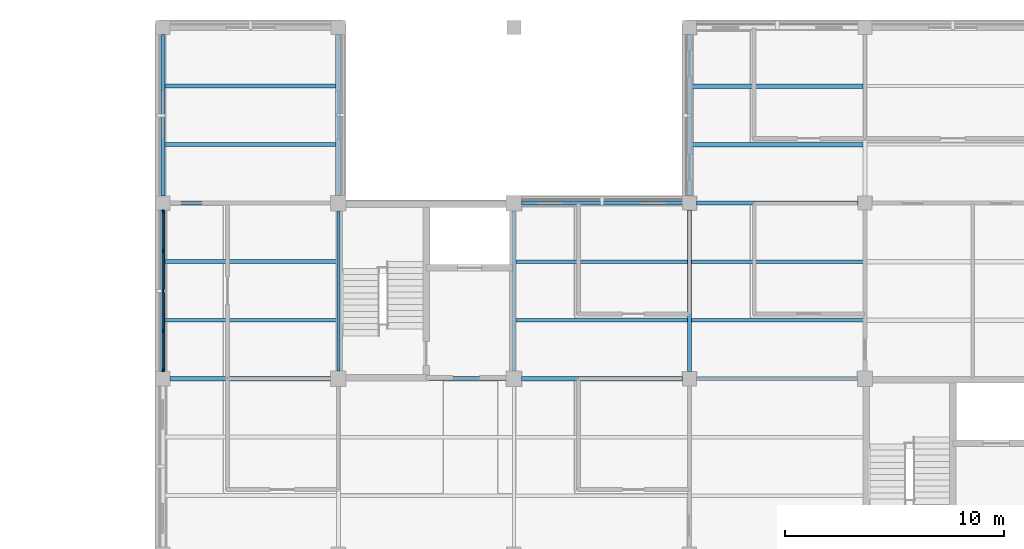
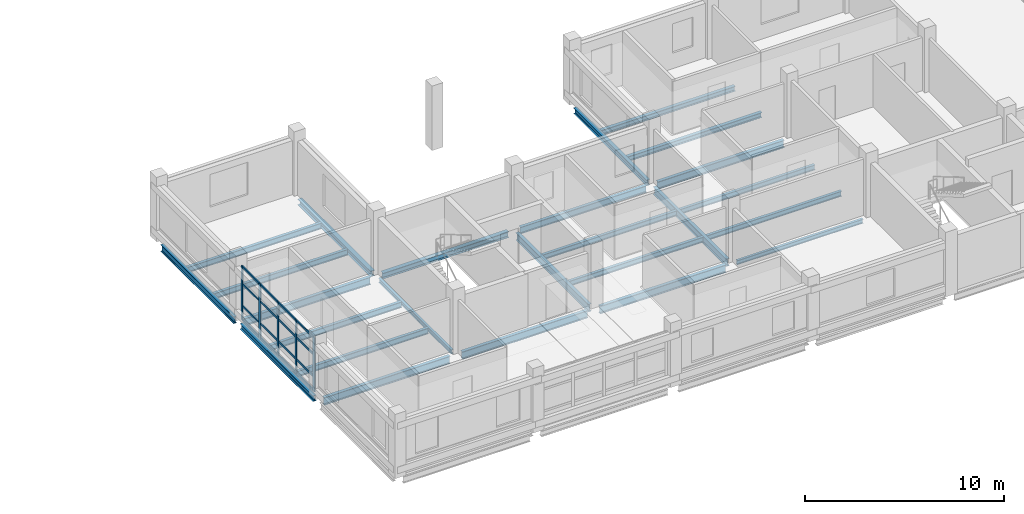
# One storey, part 45 of 92: 25 beams, 21 members, 1 element without a shape of its own.
"""IFC4 building model written with IfcOpenShell, lengths in metres."""

from ifc_helpers import new_model, si_unit, derived_unit, direction, frame, origin, origin_2d, place, context, subcontext, project, spatial, rectangle, i_section, extrude, material, layer, layer_set, material_profile, profile_set, type_object, element, aggregate, save


model = new_model("IFC4")

# Units and contexts
model_context = context("Model", 3, precision=1e-05, world=origin(), true_north=direction((0.0, 1.0)))
body_context = subcontext(model_context, "Body", "Model", "MODEL_VIEW")
ifc_project = project(units=[si_unit("LENGTHUNIT", "METRE"), si_unit("AREAUNIT", "SQUARE_METRE"), si_unit("VOLUMEUNIT", "CUBIC_METRE"), si_unit("PLANEANGLEUNIT", "RADIAN"), si_unit("MASSUNIT", "GRAM", prefix="KILO"), derived_unit("THERMALTRANSMITTANCEUNIT", [(si_unit("MASSUNIT", "GRAM", prefix="KILO"), 1), (si_unit("TIMEUNIT", "SECOND"), -3), (si_unit("THERMODYNAMICTEMPERATUREUNIT", "KELVIN"), -1)])], contexts=[model_context])

# Site, building, storey
site_placement = place(None, origin())
site = spatial("IfcSite", under=ifc_project, at=site_placement, CompositionType="ELEMENT")
building_placement = place(site_placement, origin())
building = spatial("IfcBuilding", under=site, at=building_placement, Name="Veyamyaing Civic Hall", CompositionType="ELEMENT")
storey_placement = place(building_placement, frame((0.0, 0.0, 17.820068359375)))
storey = spatial("IfcBuildingStorey", under=building, at=storey_placement, Name="L04", CompositionType="ELEMENT", Elevation=17.820068359375)

# Beams
ifc_material_1 = material(Name="Steel ASTM A992", Category="steel")
ifc_material_profile_1 = material_profile(ifc_material_1, i_section(OverallWidth=0.19189453125, OverallDepth=0.462890625, WebThickness=0.010498046875, FlangeThickness=0.017578125, FilletRadius=0.010009765625, at=origin_2d()), Name="W460X89")
ifc_profile_set_1 = profile_set([ifc_material_profile_1], Name="Steel ASTM A992")
beam_type_1 = type_object("IfcBeamType", Name="B-08", PredefinedType="BEAM", material=ifc_profile_set_1)
beam_1_placement = place(storey_placement, frame((128.324951171875, 96.0, -0.466552734375), z_axis=(1.0, 0.0, 0.0), x_axis=(0.0, 1.0, 0.0)))
element("IfcBeam", 1, at=beam_1_placement, inside=storey, type_object=beam_type_1, Name="Girder B-08 L04 Grid N 17-18", PredefinedType="BEAM", context=body_context, shape_type="SweptSolid", body=[
    extrude(i_section(OverallWidth=0.19189453125, OverallDepth=0.462890625, WebThickness=0.010498046875, FlangeThickness=0.017578125, FilletRadius=0.010009765625, at=origin_2d()), origin(), (0.0, 0.0, 1.0), 7.324951171875),
])
beam_2_placement = place(storey_placement, frame((152.324951171875, 104.0, -0.466552734375), z_axis=(1.0, 0.0, 0.0), x_axis=(0.0, 1.0, 0.0)))
element("IfcBeam", 2, at=beam_2_placement, inside=storey, type_object=beam_type_1, Name="Girder B-08 L04 Grid P 20-21", PredefinedType="BEAM", context=body_context, shape_type="SweptSolid", body=[
    extrude(i_section(OverallWidth=0.19189453125, OverallDepth=0.462890625, WebThickness=0.010498046875, FlangeThickness=0.017578125, FilletRadius=0.010009765625, at=origin_2d()), origin(), (0.0, 0.0, 1.0), 7.35009765625),
])
beam_3_placement = place(storey_placement, frame((144.0, 96.35009765625, -0.466552734375), z_axis=(0.0, 1.0, 0.0), x_axis=(-1.0, 0.0, 0.0)))
element("IfcBeam", 3, at=beam_3_placement, inside=storey, type_object=beam_type_1, Name="Girder B-08 L04 Grid 19 N-P", PredefinedType="BEAM", context=body_context, shape_type="SweptSolid", body=[
    extrude(i_section(OverallWidth=0.19189453125, OverallDepth=0.462890625, WebThickness=0.010498046875, FlangeThickness=0.017578125, FilletRadius=0.010009765625, at=origin_2d()), origin(), (0.0, 0.0, 1.0), 7.2998046875),
])
ifc_material_profile_2 = material_profile(ifc_material_1, i_section(OverallWidth=0.18994140625, OverallDepth=0.45703125, WebThickness=0.009033203125, FlangeThickness=0.014404296875, FilletRadius=0.010009765625, at=origin_2d()), Name="W460X74")
ifc_profile_set_2 = profile_set([ifc_material_profile_2], Name="Steel ASTM A992")
beam_type_2 = type_object("IfcBeamType", Name="B-09", PredefinedType="BEAM", material=ifc_profile_set_2)
beam_4_placement = place(storey_placement, frame((136.35009765625, 96.0, -0.463623046875), z_axis=(1.0, 0.0, 0.0), x_axis=(0.0, 1.0, 0.0)))
element("IfcBeam", 4, at=beam_4_placement, inside=storey, type_object=beam_type_2, Name="Girder B-09 L04 Grid N 18-19", PredefinedType="BEAM", context=body_context, shape_type="SweptSolid", body=[
    extrude(i_section(OverallWidth=0.18994140625, OverallDepth=0.45703125, WebThickness=0.009033203125, FlangeThickness=0.014404296875, FilletRadius=0.010009765625, at=origin_2d()), origin(), (0.0, 0.0, 1.0), 7.2998046875),
])
beam_5_placement = place(storey_placement, frame((128.324951171875, 104.0, -0.463623046875), z_axis=(1.0, 0.0, 0.0), x_axis=(0.0, 1.0, 0.0)))
element("IfcBeam", 5, at=beam_5_placement, inside=storey, type_object=beam_type_2, Name="Girder B-09 L04 Grid P 17-18", PredefinedType="BEAM", context=body_context, shape_type="SweptSolid", body=[
    extrude(i_section(OverallWidth=0.18994140625, OverallDepth=0.45703125, WebThickness=0.009033203125, FlangeThickness=0.014404296875, FilletRadius=0.010009765625, at=origin_2d()), origin(), (0.0, 0.0, 1.0), 7.324951171875),
])
beam_6_placement = place(storey_placement, frame((152.0, 96.324951171875, -0.463623046875), z_axis=(0.0, 1.0, 0.0), x_axis=(-1.0, 0.0, 0.0)))
element("IfcBeam", 6, at=beam_6_placement, inside=storey, type_object=beam_type_2, Name="Girder B-09 L04 Grid 20 N-P", PredefinedType="BEAM", context=body_context, shape_type="SweptSolid", body=[
    extrude(i_section(OverallWidth=0.18994140625, OverallDepth=0.45703125, WebThickness=0.009033203125, FlangeThickness=0.014404296875, FilletRadius=0.010009765625, at=origin_2d()), origin(), (0.0, 0.0, 1.0), 7.35009765625),
])
ifc_material_profile_3 = material_profile(ifc_material_1, i_section(OverallWidth=0.179931640625, OverallDepth=0.4130859375, WebThickness=0.009765625, FlangeThickness=0.01611328125, FilletRadius=0.010009765625, at=origin_2d()), Name="W410X74")
ifc_profile_set_3 = profile_set([ifc_material_profile_3], Name="Steel ASTM A992")
beam_type_3 = type_object("IfcBeamType", Name="B-10", PredefinedType="SPANDREL", material=ifc_profile_set_3)
beam_7_placement = place(storey_placement, frame((144.35009765625, 104.0, -0.441650390625), z_axis=(1.0, 0.0, 0.0), x_axis=(0.0, 1.0, 0.0)))
element("IfcBeam", 7, at=beam_7_placement, inside=storey, type_object=beam_type_3, Name="Girder B-10 L04 Grid P 19-20", PredefinedType="SPANDREL", context=body_context, shape_type="SweptSolid", body=[
    extrude(i_section(OverallWidth=0.179931640625, OverallDepth=0.4130859375, WebThickness=0.009765625, FlangeThickness=0.01611328125, FilletRadius=0.010009765625, at=origin_2d()), origin(), (0.0, 0.0, 1.0), 7.324951171875),
])
ifc_material_profile_4 = material_profile(ifc_material_1, i_section(OverallWidth=0.2041015625, OverallDepth=0.35009765625, WebThickness=0.0078125, FlangeThickness=0.01513671875, FilletRadius=0.010009765625, at=origin_2d()), Name="W360X72")
ifc_profile_set_4 = profile_set([ifc_material_profile_4], Name="Steel ASTM A992")
beam_type_4 = type_object("IfcBeamType", Name="B-11", PredefinedType="SPANDREL", material=ifc_profile_set_4)
for number, where, z_axis, x_axis, name in (
    (8, (128.0, 96.324951171875, -0.41015625), (0.0, 1.0, 0.0), (-1.0, 0.0, 0.0), "Girder B-11 L04 Grid 17 N-P"),
    (9, (152.0, 104.324951171875, -0.41015625), (0.0, 1.0, 0.0), (-1.0, 0.0, 0.0), "Girder B-11 L04 Grid 20 P-Q"),
):
    element("IfcBeam", number, at=place(storey_placement, frame(where, z_axis=z_axis, x_axis=x_axis)), inside=storey, type_object=beam_type_4, Name=name, PredefinedType="SPANDREL", context=body_context, shape_type="SweptSolid", body=[
        extrude(i_section(OverallWidth=0.2041015625, OverallDepth=0.35009765625, WebThickness=0.0078125, FlangeThickness=0.01513671875, FilletRadius=0.010009765625, at=origin_2d()), origin(), (0.0, 0.0, 1.0), 7.35009765625),
    ])
ifc_material_profile_5 = material_profile(ifc_material_1, i_section(OverallWidth=0.14599609375, OverallDepth=0.258056640625, WebThickness=0.006103515625, FlangeThickness=0.009033203125, FilletRadius=0.010009765625, at=origin_2d()), Name="W250X33")
ifc_profile_set_5 = profile_set([ifc_material_profile_5], Name="Steel ASTM A992")
beam_type_5 = type_object("IfcBeamType", Name="B-12", PredefinedType="BEAM", material=ifc_profile_set_5)
beam_8_placement = place(storey_placement, frame((152.324951171875, 96.0, -0.364013671875), z_axis=(1.0, 0.0, 0.0), x_axis=(0.0, 1.0, 0.0)))
element("IfcBeam", 10, at=beam_8_placement, inside=storey, type_object=beam_type_5, Name="Girder B-12 L04 Grid N 20-21", PredefinedType="BEAM", context=body_context, shape_type="SweptSolid", body=[
    extrude(i_section(OverallWidth=0.14599609375, OverallDepth=0.258056640625, WebThickness=0.006103515625, FlangeThickness=0.009033203125, FilletRadius=0.010009765625, at=origin_2d()), origin(), (0.0, 0.0, 1.0), 7.324951171875),
])
beam_9_placement = place(storey_placement, frame((136.0, 96.35009765625, -0.364013671875), z_axis=(0.0, 1.0, 0.0), x_axis=(-1.0, 0.0, 0.0)))
element("IfcBeam", 11, at=beam_9_placement, inside=storey, type_object=beam_type_5, Name="Girder B-12 L04 Grid 18 N-P", PredefinedType="BEAM", context=body_context, shape_type="SweptSolid", body=[
    extrude(i_section(OverallWidth=0.14599609375, OverallDepth=0.258056640625, WebThickness=0.006103515625, FlangeThickness=0.009033203125, FilletRadius=0.010009765625, at=origin_2d()), origin(), (0.0, 0.0, 1.0), 7.2998046875),
])
ifc_material_profile_6 = material_profile(ifc_material_1, i_section(OverallWidth=0.194091796875, OverallDepth=0.468994140625, WebThickness=0.0126953125, FlangeThickness=0.0205078125, FilletRadius=0.010009765625, at=origin_2d()), Name="W460X106")
ifc_profile_set_6 = profile_set([ifc_material_profile_6], Name="Steel ASTM A992")
beam_type_6 = type_object("IfcBeamType", Name="B-18", PredefinedType="BEAM", material=ifc_profile_set_6)
beam_10_placement = place(storey_placement, frame((144.35009765625, 96.0, -0.469482421875), z_axis=(1.0, 0.0, 0.0), x_axis=(0.0, 1.0, 0.0)))
element("IfcBeam", 12, at=beam_10_placement, inside=storey, type_object=beam_type_6, Name="Girder B-18 L04 Grid N 19-20", PredefinedType="BEAM", context=body_context, shape_type="SweptSolid", body=[
    extrude(i_section(OverallWidth=0.194091796875, OverallDepth=0.468994140625, WebThickness=0.0126953125, FlangeThickness=0.0205078125, FilletRadius=0.010009765625, at=origin_2d()), origin(), (0.0, 0.0, 1.0), 7.324951171875),
])
ifc_material_profile_7 = material_profile(ifc_material_1, i_section(OverallWidth=0.180908203125, OverallDepth=0.4169921875, WebThickness=0.010986328125, FlangeThickness=0.018310546875, FilletRadius=0.010009765625, at=origin_2d()), Name="W410X85")
ifc_profile_set_7 = profile_set([ifc_material_profile_7], Name="Steel ASTM A992")
beam_type_7 = type_object("IfcBeamType", Name="B-19", PredefinedType="SPANDREL", material=ifc_profile_set_7)
beam_11_placement = place(storey_placement, frame((128.0, 104.324951171875, -0.443603515625), z_axis=(0.0, 1.0, 0.0), x_axis=(-1.0, 0.0, 0.0)))
element("IfcBeam", 13, at=beam_11_placement, inside=storey, type_object=beam_type_7, Name="Girder B-19 L04 Grid 17 P-Q", PredefinedType="SPANDREL", context=body_context, shape_type="SweptSolid", body=[
    extrude(i_section(OverallWidth=0.180908203125, OverallDepth=0.4169921875, WebThickness=0.010986328125, FlangeThickness=0.018310546875, FilletRadius=0.010009765625, at=origin_2d()), origin(), (0.0, 0.0, 1.0), 7.35009765625),
])
ifc_material_profile_8 = material_profile(ifc_material_1, i_section(OverallWidth=0.25390625, OverallDepth=0.35302734375, WebThickness=0.009521484375, FlangeThickness=0.016357421875, FilletRadius=0.011962890625, at=origin_2d()), Name="W360X91")
ifc_profile_set_8 = profile_set([ifc_material_profile_8], Name="Steel ASTM A992")
beam_type_8 = type_object("IfcBeamType", Name="B-20", PredefinedType="SPANDREL", material=ifc_profile_set_8)
beam_12_placement = place(storey_placement, frame((136.35009765625, 104.0, -0.41162109375), z_axis=(1.0, 0.0, 0.0), x_axis=(0.0, 1.0, 0.0)))
element("IfcBeam", 14, at=beam_12_placement, inside=storey, type_object=beam_type_8, Name="Girder B-20 L04 Grid P 18-19", PredefinedType="SPANDREL", context=body_context, shape_type="SweptSolid", body=[
    extrude(i_section(OverallWidth=0.25390625, OverallDepth=0.35302734375, WebThickness=0.009521484375, FlangeThickness=0.016357421875, FilletRadius=0.011962890625, at=origin_2d()), origin(), (0.0, 0.0, 1.0), 7.2998046875),
])
beam_13_placement = place(storey_placement, frame((136.0, 104.35009765625, -0.41162109375), z_axis=(0.0, 1.0, 0.0), x_axis=(-1.0, 0.0, 0.0)))
element("IfcBeam", 15, at=beam_13_placement, inside=storey, type_object=beam_type_8, Name="Girder B-20 L04 Grid 18 P-Q", PredefinedType="SPANDREL", context=body_context, shape_type="SweptSolid", body=[
    extrude(i_section(OverallWidth=0.25390625, OverallDepth=0.35302734375, WebThickness=0.009521484375, FlangeThickness=0.016357421875, FilletRadius=0.011962890625, at=origin_2d()), origin(), (0.0, 0.0, 1.0), 7.324951171875),
])

# Curtain wall, members
ifc_material_2 = material(Name="Anodised aluminium 6063-T6", Category="aluminium")
ifc_layer = layer(ifc_material_2, 0.159912109375, Name="Anodised aluminium 6063-T6")
ifc_layer_set = layer_set([ifc_layer], Name="Anodised aluminium 6063-T6")
curtain_wall_type = type_object("IfcCurtainWallType", Name="CW-08", PredefinedType="NOTDEFINED", material=ifc_layer_set)
curtain_wall_placement = place(storey_placement, origin())
curtain_wall = element("IfcCurtainWall", 16, at=curtain_wall_placement, inside=storey, type_object=curtain_wall_type, Name="Unitized curtain wall CW-08 L04 W 17.13", PredefinedType="NOTDEFINED")
ifc_material_profile_9 = material_profile(ifc_material_2, rectangle(XDim=0.06494140625, YDim=0.159912109375, at=origin_2d()), Name="ALU-MUL-65X160")
ifc_profile_set_9 = profile_set([ifc_material_profile_9], Name="Anodised aluminium 6063-T6")
member_type_1 = type_object("IfcMemberType", Name="CWM-01", PredefinedType="MULLION", material=ifc_profile_set_9)
member_1_placement = place(storey_placement, frame((128.0, 96.387451171875, 0.0), z_axis=(0.0, 0.0, 1.0), x_axis=(-1.0, 0.0, 0.0)))
member_1 = element("IfcMember", 17, at=member_1_placement, type_object=member_type_1, Name="CW-08 mullion 1", PredefinedType="MULLION", context=body_context, shape_type="SweptSolid", body=[
    extrude(rectangle(XDim=0.06494140625, YDim=0.159912109375, at=origin_2d()), origin(), (0.0, 0.0, 1.0), 3.309814453125),
])
member_2_placement = place(storey_placement, frame((128.0, 98.177490234375, 0.0), z_axis=(0.0, 0.0, 1.0), x_axis=(-1.0, 0.0, 0.0)))
member_2 = element("IfcMember", 18, at=member_2_placement, type_object=member_type_1, Name="CW-08 mullion 2", PredefinedType="MULLION", context=body_context, shape_type="SweptSolid", body=[
    extrude(rectangle(XDim=0.06494140625, YDim=0.159912109375, at=origin_2d()), origin(), (0.0, 0.0, 1.0), 3.309814453125),
])
member_3_placement = place(storey_placement, frame((128.0, 100.0, 0.0), z_axis=(0.0, 0.0, 1.0), x_axis=(-1.0, 0.0, 0.0)))
member_3 = element("IfcMember", 19, at=member_3_placement, type_object=member_type_1, Name="CW-08 mullion 3", PredefinedType="MULLION", context=body_context, shape_type="SweptSolid", body=[
    extrude(rectangle(XDim=0.06494140625, YDim=0.159912109375, at=origin_2d()), origin(), (0.0, 0.0, 1.0), 3.309814453125),
])
member_4_placement = place(storey_placement, frame((128.0, 101.822509765625, 0.0), z_axis=(0.0, 0.0, 1.0), x_axis=(-1.0, 0.0, 0.0)))
member_4 = element("IfcMember", 20, at=member_4_placement, type_object=member_type_1, Name="CW-08 mullion 4", PredefinedType="MULLION", context=body_context, shape_type="SweptSolid", body=[
    extrude(rectangle(XDim=0.06494140625, YDim=0.159912109375, at=origin_2d()), origin(), (0.0, 0.0, 1.0), 3.309814453125),
])
member_5_placement = place(storey_placement, frame((128.0, 103.612548828125, 0.0), z_axis=(0.0, 0.0, 1.0), x_axis=(-1.0, 0.0, 0.0)))
member_5 = element("IfcMember", 21, at=member_5_placement, type_object=member_type_1, Name="CW-08 mullion 5", PredefinedType="MULLION", context=body_context, shape_type="SweptSolid", body=[
    extrude(rectangle(XDim=0.06494140625, YDim=0.159912109375, at=origin_2d()), origin(), (0.0, 0.0, 1.0), 3.309814453125),
])
ifc_material_profile_10 = material_profile(ifc_material_2, rectangle(XDim=0.06494140625, YDim=0.1201171875, at=origin_2d()), Name="ALU-TRN-65X120")
ifc_profile_set_10 = profile_set([ifc_material_profile_10], Name="Anodised aluminium 6063-T6")
member_type_2 = type_object("IfcMemberType", Name="CWT-01", PredefinedType="USERDEFINED", material=ifc_profile_set_10)
member_6_placement = place(storey_placement, frame((128.0, 96.419921875, 0.032470703125), z_axis=(0.0, 1.0, 0.0), x_axis=(-1.0, 0.0, 0.0)))
member_6 = element("IfcMember", 22, at=member_6_placement, type_object=member_type_2, Name="CW-08 transom 1.1", ObjectType="TRANSOM", PredefinedType="USERDEFINED", context=body_context, shape_type="SweptSolid", body=[
    extrude(rectangle(XDim=0.06494140625, YDim=0.1201171875, at=origin_2d()), origin(), (0.0, 0.0, 1.0), 1.72509765625),
])
member_7_placement = place(storey_placement, frame((128.0, 96.419921875, 0.89990234375), z_axis=(0.0, 1.0, 0.0), x_axis=(-1.0, 0.0, 0.0)))
member_7 = element("IfcMember", 23, at=member_7_placement, type_object=member_type_2, Name="CW-08 transom 1.2", ObjectType="TRANSOM", PredefinedType="USERDEFINED", context=body_context, shape_type="SweptSolid", body=[
    extrude(rectangle(XDim=0.06494140625, YDim=0.1201171875, at=origin_2d()), origin(), (0.0, 0.0, 1.0), 1.72509765625),
])
member_8_placement = place(storey_placement, frame((128.0, 96.419921875, 2.250732421875), z_axis=(0.0, 1.0, 0.0), x_axis=(-1.0, 0.0, 0.0)))
member_8 = element("IfcMember", 24, at=member_8_placement, type_object=member_type_2, Name="CW-08 transom 1.3", ObjectType="TRANSOM", PredefinedType="USERDEFINED", context=body_context, shape_type="SweptSolid", body=[
    extrude(rectangle(XDim=0.06494140625, YDim=0.1201171875, at=origin_2d()), origin(), (0.0, 0.0, 1.0), 1.72509765625),
])
member_9_placement = place(storey_placement, frame((128.0, 96.419921875, 3.27734375), z_axis=(0.0, 1.0, 0.0), x_axis=(-1.0, 0.0, 0.0)))
member_9 = element("IfcMember", 25, at=member_9_placement, type_object=member_type_2, Name="CW-08 transom 1.4", ObjectType="TRANSOM", PredefinedType="USERDEFINED", context=body_context, shape_type="SweptSolid", body=[
    extrude(rectangle(XDim=0.06494140625, YDim=0.1201171875, at=origin_2d()), origin(), (0.0, 0.0, 1.0), 1.72509765625),
])
member_10_placement = place(storey_placement, frame((128.0, 98.2099609375, 0.032470703125), z_axis=(0.0, 1.0, 0.0), x_axis=(-1.0, 0.0, 0.0)))
member_10 = element("IfcMember", 26, at=member_10_placement, type_object=member_type_2, Name="CW-08 transom 2.1", ObjectType="TRANSOM", PredefinedType="USERDEFINED", context=body_context, shape_type="SweptSolid", body=[
    extrude(rectangle(XDim=0.06494140625, YDim=0.1201171875, at=origin_2d()), origin(), (0.0, 0.0, 1.0), 1.757568359375),
])
member_11_placement = place(storey_placement, frame((128.0, 98.2099609375, 0.89990234375), z_axis=(0.0, 1.0, 0.0), x_axis=(-1.0, 0.0, 0.0)))
member_11 = element("IfcMember", 27, at=member_11_placement, type_object=member_type_2, Name="CW-08 transom 2.2", ObjectType="TRANSOM", PredefinedType="USERDEFINED", context=body_context, shape_type="SweptSolid", body=[
    extrude(rectangle(XDim=0.06494140625, YDim=0.1201171875, at=origin_2d()), origin(), (0.0, 0.0, 1.0), 1.757568359375),
])
member_12_placement = place(storey_placement, frame((128.0, 98.2099609375, 2.250732421875), z_axis=(0.0, 1.0, 0.0), x_axis=(-1.0, 0.0, 0.0)))
member_12 = element("IfcMember", 28, at=member_12_placement, type_object=member_type_2, Name="CW-08 transom 2.3", ObjectType="TRANSOM", PredefinedType="USERDEFINED", context=body_context, shape_type="SweptSolid", body=[
    extrude(rectangle(XDim=0.06494140625, YDim=0.1201171875, at=origin_2d()), origin(), (0.0, 0.0, 1.0), 1.757568359375),
])
member_13_placement = place(storey_placement, frame((128.0, 98.2099609375, 3.27734375), z_axis=(0.0, 1.0, 0.0), x_axis=(-1.0, 0.0, 0.0)))
member_13 = element("IfcMember", 29, at=member_13_placement, type_object=member_type_2, Name="CW-08 transom 2.4", ObjectType="TRANSOM", PredefinedType="USERDEFINED", context=body_context, shape_type="SweptSolid", body=[
    extrude(rectangle(XDim=0.06494140625, YDim=0.1201171875, at=origin_2d()), origin(), (0.0, 0.0, 1.0), 1.757568359375),
])
member_14_placement = place(storey_placement, frame((128.0, 100.032470703125, 0.032470703125), z_axis=(0.0, 1.0, 0.0), x_axis=(-1.0, 0.0, 0.0)))
member_14 = element("IfcMember", 30, at=member_14_placement, type_object=member_type_2, Name="CW-08 transom 3.1", ObjectType="TRANSOM", PredefinedType="USERDEFINED", context=body_context, shape_type="SweptSolid", body=[
    extrude(rectangle(XDim=0.06494140625, YDim=0.1201171875, at=origin_2d()), origin(), (0.0, 0.0, 1.0), 1.757568359375),
])
member_15_placement = place(storey_placement, frame((128.0, 100.032470703125, 0.89990234375), z_axis=(0.0, 1.0, 0.0), x_axis=(-1.0, 0.0, 0.0)))
member_15 = element("IfcMember", 31, at=member_15_placement, type_object=member_type_2, Name="CW-08 transom 3.2", ObjectType="TRANSOM", PredefinedType="USERDEFINED", context=body_context, shape_type="SweptSolid", body=[
    extrude(rectangle(XDim=0.06494140625, YDim=0.1201171875, at=origin_2d()), origin(), (0.0, 0.0, 1.0), 1.757568359375),
])
member_16_placement = place(storey_placement, frame((128.0, 100.032470703125, 2.250732421875), z_axis=(0.0, 1.0, 0.0), x_axis=(-1.0, 0.0, 0.0)))
member_16 = element("IfcMember", 32, at=member_16_placement, type_object=member_type_2, Name="CW-08 transom 3.3", ObjectType="TRANSOM", PredefinedType="USERDEFINED", context=body_context, shape_type="SweptSolid", body=[
    extrude(rectangle(XDim=0.06494140625, YDim=0.1201171875, at=origin_2d()), origin(), (0.0, 0.0, 1.0), 1.757568359375),
])
member_17_placement = place(storey_placement, frame((128.0, 100.032470703125, 3.27734375), z_axis=(0.0, 1.0, 0.0), x_axis=(-1.0, 0.0, 0.0)))
member_17 = element("IfcMember", 33, at=member_17_placement, type_object=member_type_2, Name="CW-08 transom 3.4", ObjectType="TRANSOM", PredefinedType="USERDEFINED", context=body_context, shape_type="SweptSolid", body=[
    extrude(rectangle(XDim=0.06494140625, YDim=0.1201171875, at=origin_2d()), origin(), (0.0, 0.0, 1.0), 1.757568359375),
])
member_18_placement = place(storey_placement, frame((128.0, 101.85498046875, 0.032470703125), z_axis=(0.0, 1.0, 0.0), x_axis=(-1.0, 0.0, 0.0)))
member_18 = element("IfcMember", 34, at=member_18_placement, type_object=member_type_2, Name="CW-08 transom 4.1", ObjectType="TRANSOM", PredefinedType="USERDEFINED", context=body_context, shape_type="SweptSolid", body=[
    extrude(rectangle(XDim=0.06494140625, YDim=0.1201171875, at=origin_2d()), origin(), (0.0, 0.0, 1.0), 1.72509765625),
])
member_19_placement = place(storey_placement, frame((128.0, 101.85498046875, 0.89990234375), z_axis=(0.0, 1.0, 0.0), x_axis=(-1.0, 0.0, 0.0)))
member_19 = element("IfcMember", 35, at=member_19_placement, type_object=member_type_2, Name="CW-08 transom 4.2", ObjectType="TRANSOM", PredefinedType="USERDEFINED", context=body_context, shape_type="SweptSolid", body=[
    extrude(rectangle(XDim=0.06494140625, YDim=0.1201171875, at=origin_2d()), origin(), (0.0, 0.0, 1.0), 1.72509765625),
])
member_20_placement = place(storey_placement, frame((128.0, 101.85498046875, 2.250732421875), z_axis=(0.0, 1.0, 0.0), x_axis=(-1.0, 0.0, 0.0)))
member_20 = element("IfcMember", 36, at=member_20_placement, type_object=member_type_2, Name="CW-08 transom 4.3", ObjectType="TRANSOM", PredefinedType="USERDEFINED", context=body_context, shape_type="SweptSolid", body=[
    extrude(rectangle(XDim=0.06494140625, YDim=0.1201171875, at=origin_2d()), origin(), (0.0, 0.0, 1.0), 1.72509765625),
])
member_21_placement = place(storey_placement, frame((128.0, 101.85498046875, 3.27734375), z_axis=(0.0, 1.0, 0.0), x_axis=(-1.0, 0.0, 0.0)))
member_21 = element("IfcMember", 37, at=member_21_placement, type_object=member_type_2, Name="CW-08 transom 4.4", ObjectType="TRANSOM", PredefinedType="USERDEFINED", context=body_context, shape_type="SweptSolid", body=[
    extrude(rectangle(XDim=0.06494140625, YDim=0.1201171875, at=origin_2d()), origin(), (0.0, 0.0, 1.0), 1.72509765625),
])
aggregate(curtain_wall, [member_1, member_2, member_3, member_4, member_5, member_6, member_7, member_8, member_9, member_10, member_11, member_12, member_13, member_14, member_15, member_16, member_17, member_18, member_19, member_20, member_21])

# Beams
ifc_material_profile_11 = material_profile(ifc_material_1, i_section(OverallWidth=0.172119140625, OverallDepth=0.35791015625, WebThickness=0.0078125, FlangeThickness=0.01318359375, FilletRadius=0.010009765625, at=origin_2d()), Name="W360X57")
ifc_profile_set_11 = profile_set([ifc_material_profile_11], Name="Steel ASTM A992")
beam_type_9 = type_object("IfcBeamType", Name="J-02", PredefinedType="JOIST", material=ifc_profile_set_11)
for number, where, z_axis, x_axis, name in (
    (38, (128.10009765625, 98.666748046875, -0.4140625), (1.0, 0.0, 0.0), (0.0, 1.0, 0.0), "Composite floor joist J-02 L04 17.13.1"),
    (39, (128.10009765625, 101.333251953125, -0.4140625), (1.0, 0.0, 0.0), (0.0, 1.0, 0.0), "Composite floor joist J-02 L04 17.13.2"),
):
    element("IfcBeam", number, at=place(storey_placement, frame(where, z_axis=z_axis, x_axis=x_axis)), inside=storey, type_object=beam_type_9, Name=name, PredefinedType="JOIST", context=body_context, shape_type="SweptSolid", body=[
        extrude(i_section(OverallWidth=0.172119140625, OverallDepth=0.35791015625, WebThickness=0.0078125, FlangeThickness=0.01318359375, FilletRadius=0.010009765625, at=origin_2d()), origin(), (0.0, 0.0, 1.0), 7.828857421875),
    ])
ifc_material_profile_12 = material_profile(ifc_material_1, i_section(OverallWidth=0.1708984375, OverallDepth=0.35205078125, WebThickness=0.0068359375, FlangeThickness=0.009765625, FilletRadius=0.010009765625, at=origin_2d()), Name="W360X44")
ifc_profile_set_12 = profile_set([ifc_material_profile_12], Name="Steel ASTM A992")
beam_type_10 = type_object("IfcBeamType", Name="J-03", PredefinedType="JOIST", material=ifc_profile_set_12)
for number, where, z_axis, x_axis, name in (
    (40, (128.08837890625, 106.666748046875, -0.4111328125), (1.0, 0.0, 0.0), (0.0, 1.0, 0.0), "Composite floor joist J-03 L04 17.14.1"),
    (41, (128.08837890625, 109.333251953125, -0.4111328125), (1.0, 0.0, 0.0), (0.0, 1.0, 0.0), "Composite floor joist J-03 L04 17.14.2"),
):
    element("IfcBeam", number, at=place(storey_placement, frame(where, z_axis=z_axis, x_axis=x_axis)), inside=storey, type_object=beam_type_10, Name=name, PredefinedType="JOIST", context=body_context, shape_type="SweptSolid", body=[
        extrude(i_section(OverallWidth=0.1708984375, OverallDepth=0.35205078125, WebThickness=0.0068359375, FlangeThickness=0.009765625, FilletRadius=0.010009765625, at=origin_2d()), origin(), (0.0, 0.0, 1.0), 7.78662109375),
    ])
ifc_material_profile_13 = material_profile(ifc_material_1, i_section(OverallWidth=0.1669921875, OverallDepth=0.318115234375, WebThickness=0.007568359375, FlangeThickness=0.01318359375, FilletRadius=0.010009765625, at=origin_2d()), Name="W310X52")
ifc_profile_set_13 = profile_set([ifc_material_profile_13], Name="Steel ASTM A992")
beam_type_11 = type_object("IfcBeamType", Name="J-04", PredefinedType="JOIST", material=ifc_profile_set_13)
for number, where, z_axis, x_axis, name in (
    (42, (144.093994140625, 98.666748046875, -0.39404296875), (1.0, 0.0, 0.0), (0.0, 1.0, 0.0), "Composite floor joist J-04 L04 19.13.1"),
    (43, (144.093994140625, 101.333251953125, -0.39404296875), (1.0, 0.0, 0.0), (0.0, 1.0, 0.0), "Composite floor joist J-04 L04 19.13.2"),
):
    element("IfcBeam", number, at=place(storey_placement, frame(where, z_axis=z_axis, x_axis=x_axis)), inside=storey, type_object=beam_type_11, Name=name, PredefinedType="JOIST", context=body_context, shape_type="SweptSolid", body=[
        extrude(i_section(OverallWidth=0.1669921875, OverallDepth=0.318115234375, WebThickness=0.007568359375, FlangeThickness=0.01318359375, FilletRadius=0.010009765625, at=origin_2d()), origin(), (0.0, 0.0, 1.0), 7.81298828125),
    ])
ifc_material_profile_14 = material_profile(ifc_material_1, i_section(OverallWidth=0.1650390625, OverallDepth=0.31005859375, WebThickness=0.005859375, FlangeThickness=0.009765625, FilletRadius=0.010009765625, at=origin_2d()), Name="W310X39")
ifc_profile_set_14 = profile_set([ifc_material_profile_14], Name="Steel ASTM A992")
beam_type_12 = type_object("IfcBeamType", Name="J-05", PredefinedType="JOIST", material=ifc_profile_set_14)
for number, where, z_axis, x_axis, name in (
    (44, (152.093017578125, 98.666748046875, -0.39013671875), (1.0, 0.0, 0.0), (0.0, 1.0, 0.0), "Composite floor joist J-05 L04 20.13.1"),
    (45, (152.093017578125, 101.333251953125, -0.39013671875), (1.0, 0.0, 0.0), (0.0, 1.0, 0.0), "Composite floor joist J-05 L04 20.13.2"),
):
    element("IfcBeam", number, at=place(storey_placement, frame(where, z_axis=z_axis, x_axis=x_axis)), inside=storey, type_object=beam_type_12, Name=name, PredefinedType="JOIST", context=body_context, shape_type="SweptSolid", body=[
        extrude(i_section(OverallWidth=0.1650390625, OverallDepth=0.31005859375, WebThickness=0.005859375, FlangeThickness=0.009765625, FilletRadius=0.010009765625, at=origin_2d()), origin(), (0.0, 0.0, 1.0), 7.8359375),
    ])
ifc_material_profile_15 = material_profile(ifc_material_1, i_section(OverallWidth=0.2041015625, OverallDepth=0.305908203125, WebThickness=0.008544921875, FlangeThickness=0.0146484375, FilletRadius=0.010009765625, at=origin_2d()), Name="W310X67")
ifc_profile_set_15 = profile_set([ifc_material_profile_15], Name="Steel ASTM A992")
beam_type_13 = type_object("IfcBeamType", Name="J-06", PredefinedType="JOIST", material=ifc_profile_set_15)
for number, where, z_axis, x_axis, name in (
    (46, (152.10009765625, 106.666748046875, -0.38818359375), (1.0, 0.0, 0.0), (0.0, 1.0, 0.0), "Composite floor joist J-06 L04 20.14.1"),
    (47, (152.10009765625, 109.333251953125, -0.38818359375), (1.0, 0.0, 0.0), (0.0, 1.0, 0.0), "Composite floor joist J-06 L04 20.14.2"),
):
    element("IfcBeam", number, at=place(storey_placement, frame(where, z_axis=z_axis, x_axis=x_axis)), inside=storey, type_object=beam_type_13, Name=name, PredefinedType="JOIST", context=body_context, shape_type="SweptSolid", body=[
        extrude(i_section(OverallWidth=0.2041015625, OverallDepth=0.305908203125, WebThickness=0.008544921875, FlangeThickness=0.0146484375, FilletRadius=0.010009765625, at=origin_2d()), origin(), (0.0, 0.0, 1.0), 7.805908203125),
    ])

save(model, "model.ifc")
